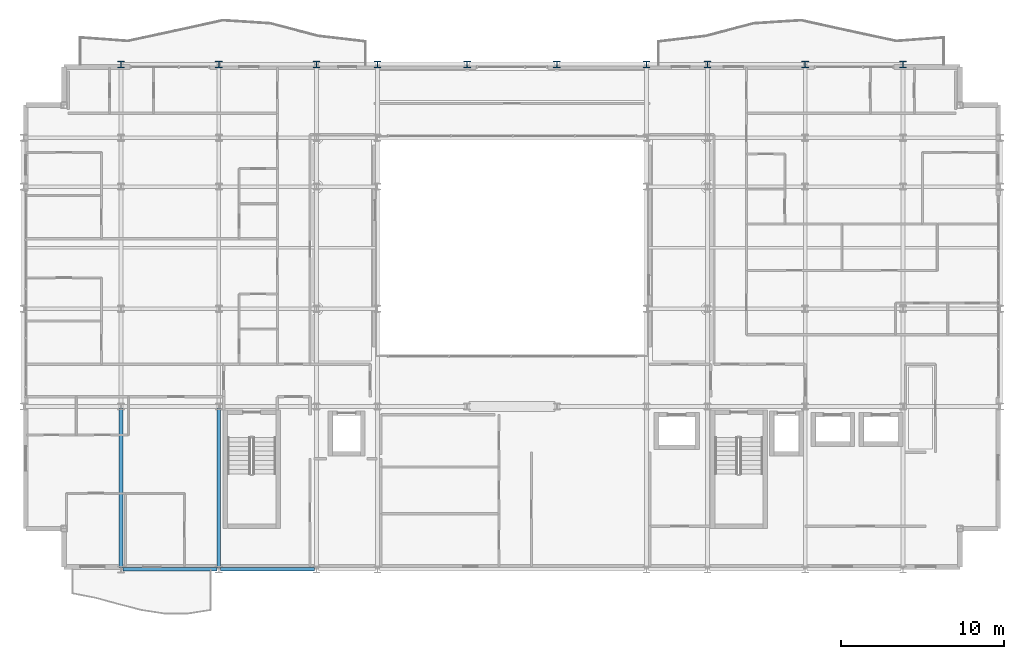
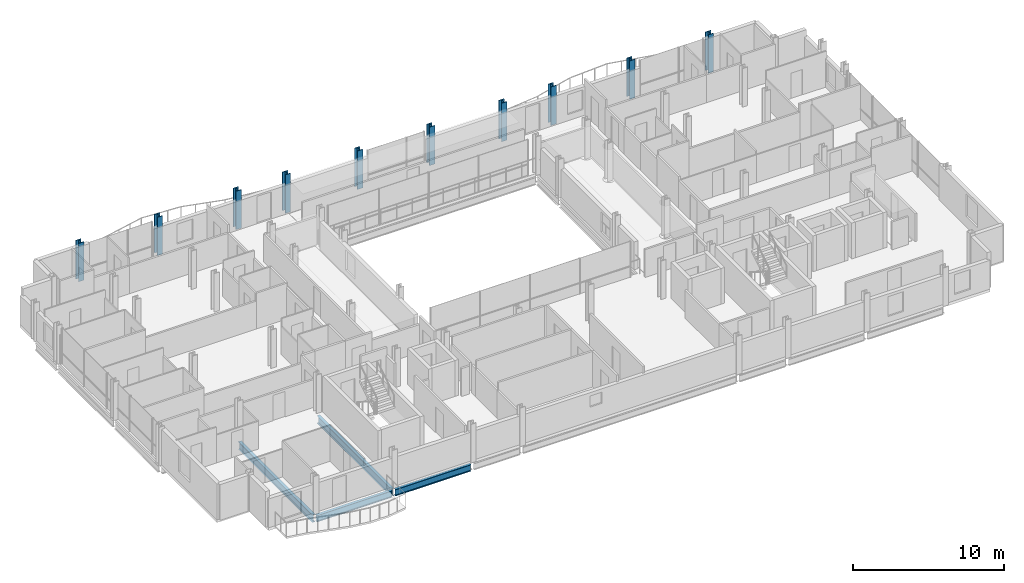
# One storey, part 3 of 41: 10 columns, 4 beams.
"""IFC4 building model written with IfcOpenShell, lengths in metres."""

from ifc_helpers import new_model, si_unit, direction, frame, origin, origin_2d, place, context, subcontext, project, spatial, i_section, extrude, material, material_profile, profile_set, type_object, element, save


model = new_model("IFC4")

# Units and contexts
model_context = context("Model", 3, precision=1e-05, world=origin(), true_north=direction((0.0, 1.0)))
body_context = subcontext(model_context, "Body", "Model", "MODEL_VIEW")
ifc_project = project(units=[si_unit("LENGTHUNIT", "METRE"), si_unit("AREAUNIT", "SQUARE_METRE"), si_unit("VOLUMEUNIT", "CUBIC_METRE"), si_unit("PLANEANGLEUNIT", "RADIAN"), si_unit("MASSUNIT", "GRAM", prefix="KILO")], contexts=[model_context])

# Site, building, storey
site_placement = place(None, origin())
site = spatial("IfcSite", under=ifc_project, at=site_placement, CompositionType="ELEMENT")
building_placement = place(site_placement, origin())
building = spatial("IfcBuilding", under=site, at=building_placement, Name="Brevholm Reach", CompositionType="ELEMENT")
storey_placement = place(building_placement, frame((0.0, 0.0, 138.699951171875)))
storey = spatial("IfcBuildingStorey", under=building, at=storey_placement, Name="L41", CompositionType="ELEMENT", Elevation=138.699951171875)

# Columns
ifc_material_1 = material(Name="Structural Steel S355J2", Category="steel")
ifc_material_profile_1 = material_profile(ifc_material_1, i_section(OverallWidth=0.406982421875, OverallDepth=0.4189453125, WebThickness=0.030517578125, FlangeThickness=0.04931640625, FilletRadius=0.01513671875, at=origin_2d()), Name="UKC 356x406x393")
ifc_profile_set_1 = profile_set([ifc_material_profile_1], Name="Structural Steel S355J2")
column_type = type_object("IfcColumnType", Name="COL-UC4", PredefinedType="COLUMN", material=ifc_profile_set_1)
for number, where, z_axis, x_axis, name in (
    (1, (6.0, 31.0, 0.0), (0.0, 0.0, 1.0), (1.0, 0.0, 0.0), "L41 Column 12"),
    (2, (12.0, 31.0, 0.0), (0.0, 0.0, 1.0), (1.0, 0.0, 0.0), "L41 Column 18"),
    (3, (18.0, 31.0, 0.0), (0.0, 0.0, 1.0), (1.0, 0.0, 0.0), "L41 Column 24"),
    (4, (21.75, 31.0, 0.0), (0.0, 0.0, 1.0), (1.0, 0.0, 0.0), "L41 Column 30"),
    (5, (27.25, 31.0, 0.0), (0.0, 0.0, 1.0), (1.0, 0.0, 0.0), "L41 Column 32"),
    (6, (32.75, 31.0, 0.0), (0.0, 0.0, 1.0), (1.0, 0.0, 0.0), "L41 Column 34"),
    (7, (38.25, 31.0, 0.0), (0.0, 0.0, 1.0), (1.0, 0.0, 0.0), "L41 Column 40"),
    (8, (42.0, 31.0, 0.0), (0.0, 0.0, 1.0), (1.0, 0.0, 0.0), "L41 Column 46"),
    (9, (48.0, 31.0, 0.0), (0.0, 0.0, 1.0), (1.0, 0.0, 0.0), "L41 Column 52"),
    (10, (54.0, 31.0, 0.0), (0.0, 0.0, 1.0), (1.0, 0.0, 0.0), "L41 Column 58"),
):
    element("IfcColumn", number, at=place(storey_placement, frame(where, z_axis=z_axis, x_axis=x_axis)), inside=storey, type_object=column_type, Name=name, PredefinedType="COLUMN", context=body_context, shape_type="SweptSolid", body=[
        extrude(i_section(OverallWidth=0.406982421875, OverallDepth=0.4189453125, WebThickness=0.030517578125, FlangeThickness=0.04931640625, FilletRadius=0.01513671875, at=origin_2d()), origin(), (0.0, 0.0, 1.0), 3.10009765625),
    ])

# Beams
ifc_material_2 = material(Name="Structural Steel S355J2", Category="steel")
ifc_material_profile_2 = material_profile(ifc_material_2, i_section(OverallWidth=0.209228515625, OverallDepth=0.533203125, WebThickness=0.010009765625, FlangeThickness=0.015625, FilletRadius=0.0126953125, at=origin_2d()), Name="UKB 533x210x92")
ifc_profile_set_2 = profile_set([ifc_material_profile_2], Name="Structural Steel S355J2")
beam_type_1 = type_object("IfcBeamType", Name="BM-SP533", PredefinedType="SPANDREL", material=ifc_profile_set_2)
for number, where, z_axis, x_axis, name in (
    (11, (6.1201171875, 0.0, -0.486572265625), (1.0, 0.0, 0.0), (0.0, 1.0, 0.0), "L41 SP-02 Framing Beam"),
    (12, (12.1201171875, 0.0, -0.486572265625), (1.0, 0.0, 0.0), (0.0, 1.0, 0.0), "L41 SP-02 Framing Beam"),
):
    element("IfcBeam", number, at=place(storey_placement, frame(where, z_axis=z_axis, x_axis=x_axis)), inside=storey, type_object=beam_type_1, Name=name, PredefinedType="SPANDREL", context=body_context, shape_type="SweptSolid", body=[
        extrude(i_section(OverallWidth=0.209228515625, OverallDepth=0.533203125, WebThickness=0.010009765625, FlangeThickness=0.015625, FilletRadius=0.0126953125, at=origin_2d()), origin(), (0.0, 0.0, 1.0), 5.759765625),
    ])
ifc_material_3 = material(Name="Structural Steel S355J2", Category="steel")
ifc_material_profile_3 = material_profile(ifc_material_3, i_section(OverallWidth=0.22900390625, OverallDepth=0.6123046875, WebThickness=0.011962890625, FlangeThickness=0.01953125, FilletRadius=0.0126953125, at=origin_2d()), Name="UKB 610x229x125")
ifc_profile_set_3 = profile_set([ifc_material_profile_3], Name="Structural Steel S355J2")
beam_type_2 = type_object("IfcBeamType", Name="BM-SP610", PredefinedType="SPANDREL", material=ifc_profile_set_3)
for number, where, z_axis, x_axis, name in (
    (13, (6.0, 0.1201171875, -0.526123046875), (0.0, 1.0, 0.0), (-1.0, 0.0, 0.0), "L41 SP-01 Framing Beam"),
    (14, (12.0, 0.1201171875, -0.526123046875), (0.0, 1.0, 0.0), (-1.0, 0.0, 0.0), "L41 SP-01 Framing Beam"),
):
    element("IfcBeam", number, at=place(storey_placement, frame(where, z_axis=z_axis, x_axis=x_axis)), inside=storey, type_object=beam_type_2, Name=name, PredefinedType="SPANDREL", context=body_context, shape_type="SweptSolid", body=[
        extrude(i_section(OverallWidth=0.22900390625, OverallDepth=0.6123046875, WebThickness=0.011962890625, FlangeThickness=0.01953125, FilletRadius=0.0126953125, at=origin_2d()), origin(), (0.0, 0.0, 1.0), 9.759765625),
    ])

save(model, "model.ifc")
